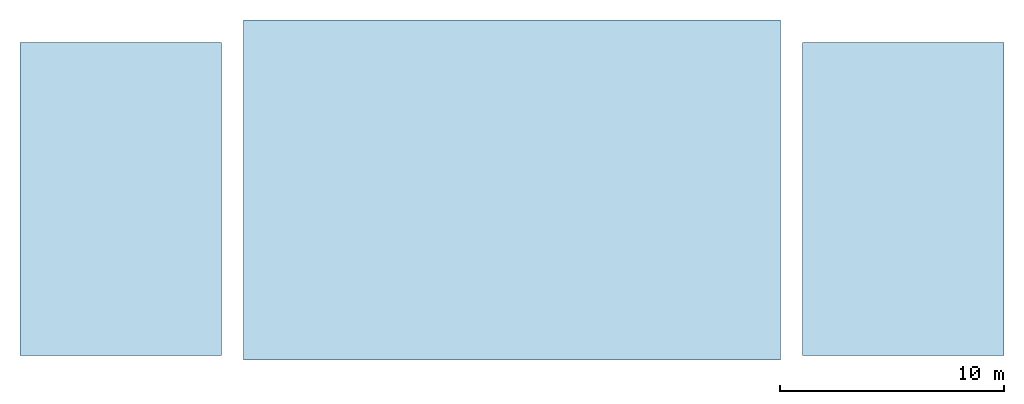
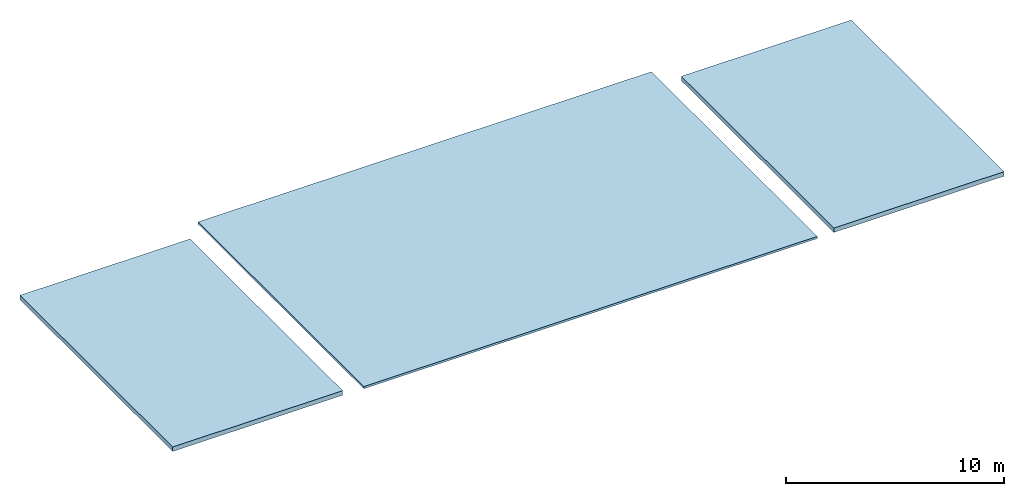
# One storey: 3 slabs.
"""IFC4 building model written with IfcOpenShell, lengths in metres."""

from ifc_helpers import new_model, si_unit, direction, frame, origin, place, context, subcontext, project, spatial, polyline, outline, extrude, material, layer, layer_set, type_object, element, save


model = new_model("IFC4")

# Units and contexts
model_context = context("Model", 3, precision=1e-05, world=origin(), true_north=direction((0.0, 1.0)))
body_context = subcontext(model_context, "Body", "Model", "MODEL_VIEW")
ifc_project = project(units=[si_unit("LENGTHUNIT", "METRE"), si_unit("AREAUNIT", "SQUARE_METRE"), si_unit("VOLUMEUNIT", "CUBIC_METRE"), si_unit("PLANEANGLEUNIT", "RADIAN"), si_unit("MASSUNIT", "GRAM", prefix="KILO")], contexts=[model_context])

# Site, building, storey
site_placement = place(None, origin())
site = spatial("IfcSite", under=ifc_project, at=site_placement, CompositionType="ELEMENT")
building_placement = place(site_placement, origin())
building = spatial("IfcBuilding", under=site, at=building_placement, Name="Lunette Opera House", CompositionType="ELEMENT")
storey_placement = place(building_placement, frame((0.0, 0.0, 39.75)))
storey = spatial("IfcBuildingStorey", under=building, at=storey_placement, Name="Roof 1", CompositionType="ELEMENT", Elevation=39.75)

# Slabs
ifc_material_1 = material(Name="Concrete C35/45", Category="concrete")
ifc_layer_1 = layer(ifc_material_1, 0.1201171875)
ifc_layer_set_1 = layer_set([ifc_layer_1], Name="Concrete C35/45")
slab_type_1 = type_object("IfcSlabType", Name="ROOF DECK 120", PredefinedType="ROOF", material=ifc_layer_set_1)
slab_1_placement = place(storey_placement, frame((0.0, 0.0, 0.1298828125)))
element("IfcSlab", 1, at=slab_1_placement, inside=storey, type_object=slab_type_1, Name="slab-ST-L06-SRR-DK", PredefinedType="ROOF", context=body_context, shape_type="SweptSolid", body=[
    extrude(outline(polyline([(108.0, 120.800048828125), (108.0, 136.0), (84.0, 136.0), (84.0, 120.800048828125), (108.0, 120.800048828125)])), origin(), (0.0, 0.0, 1.0), 0.1201171875),
])
ifc_material_2 = material(Name="Concrete C35/45", Category="concrete")
ifc_layer_2 = layer(ifc_material_2, 0.25)
ifc_layer_set_2 = layer_set([ifc_layer_2], Name="Concrete C35/45")
slab_type_2 = type_object("IfcSlabType", Name="ROOF SLAB 250", PredefinedType="ROOF", material=ifc_layer_set_2)
slab_2_placement = place(storey_placement, origin())
element("IfcSlab", 2, at=slab_2_placement, inside=storey, type_object=slab_type_2, Name="slab-ST-L06-R1", PredefinedType="ROOF", context=body_context, shape_type="SweptSolid", body=[
    extrude(outline(polyline([(74.0, 135.0), (74.0, 121.0), (83.0, 121.0), (83.0, 135.0), (74.0, 135.0)])), origin(), (0.0, 0.0, 1.0), 0.25),
])
slab_3_placement = place(storey_placement, origin())
element("IfcSlab", 3, at=slab_3_placement, inside=storey, type_object=slab_type_2, Name="slab-ST-L06-R2", PredefinedType="ROOF", context=body_context, shape_type="SweptSolid", body=[
    extrude(outline(polyline([(109.0, 135.0), (109.0, 121.0), (118.0, 121.0), (118.0, 135.0), (109.0, 135.0)])), origin(), (0.0, 0.0, 1.0), 0.25),
])

save(model, "model.ifc")
